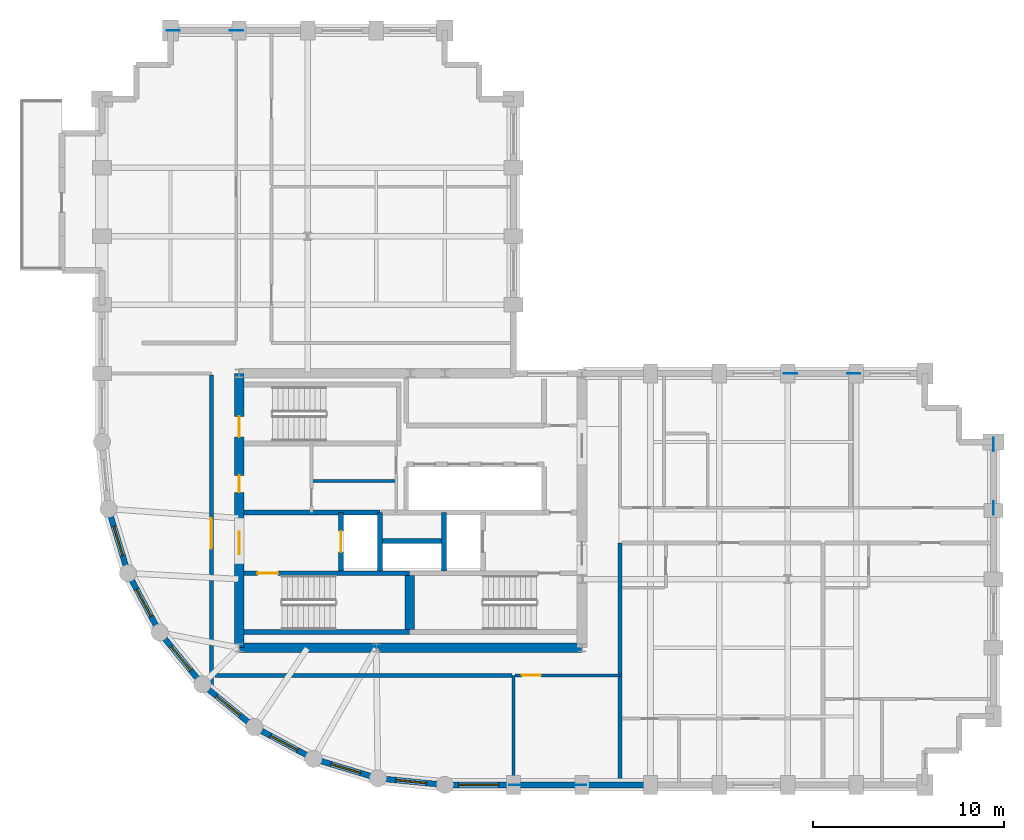
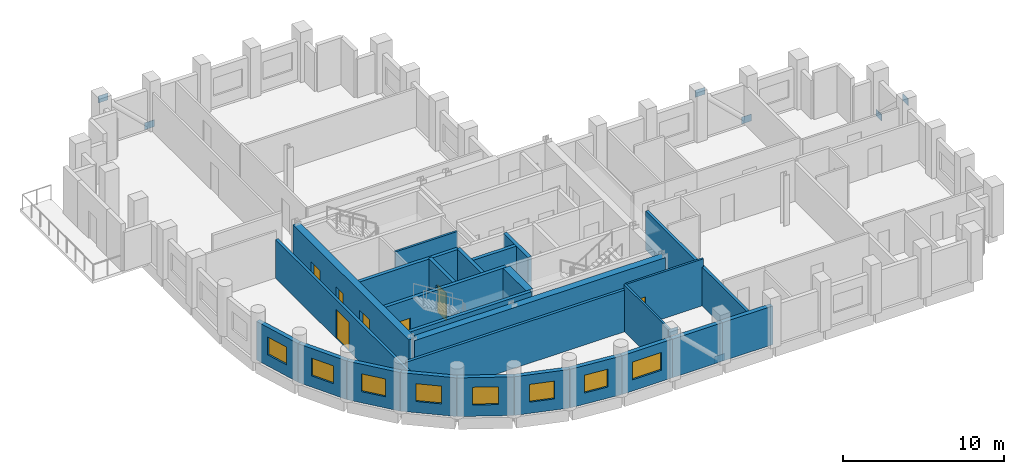
# One storey, part 3 of 9: 26 walls, 8 plates, 8 windows, 7 doors, 15 openings.
"""IFC4 building model written with IfcOpenShell, lengths in metres."""

from ifc_helpers import new_model, si_unit, direction, frame, frame_2d, origin, origin_2d, place, context, subcontext, project, spatial, rectangle, extrude, material, layer, layer_set, type_object, element, fill, save


model = new_model("IFC4")

# Units and contexts
model_context = context("Model", 3, precision=1e-05, world=origin(), true_north=direction((0.0, 1.0)))
body_context = subcontext(model_context, "Body", "Model", "MODEL_VIEW")
ifc_project = project(units=[si_unit("LENGTHUNIT", "METRE"), si_unit("AREAUNIT", "SQUARE_METRE"), si_unit("VOLUMEUNIT", "CUBIC_METRE"), si_unit("PLANEANGLEUNIT", "RADIAN"), si_unit("MASSUNIT", "GRAM", prefix="KILO")], contexts=[model_context])

# Site, building, storey
site_placement = place(None, origin())
site = spatial("IfcSite", under=ifc_project, at=site_placement, CompositionType="ELEMENT")
building_placement = place(site_placement, origin())
building = spatial("IfcBuilding", under=site, at=building_placement, Name="Solnavia Interchange Tower", CompositionType="ELEMENT")
storey_placement = place(building_placement, frame((0.0, 0.0, 154.199951171875)))
storey = spatial("IfcBuildingStorey", under=building, at=storey_placement, Name="L38", CompositionType="ELEMENT", Elevation=154.199951171875)

# Plates
ifc_material_1 = material(Name="Steel S460", Category="steel")
ifc_layer_1 = layer(ifc_material_1, 0.030029296875)
ifc_layer_set_1 = layer_set([ifc_layer_1], Name="Steel S460")
plate_type = type_object("IfcPlateType", Name="Plate-Gusset-700x520x30", PredefinedType="USERDEFINED", material=ifc_layer_set_1)
for number, where, z_axis, x_axis, name in (
    (1, (32.260009765625, 3.60009765625, -0.080078125), (0.0, 0.0, 1.0), (-1.0, 0.0, 0.0), "PLT-L38-GP01 Perimeter brace gusset plate"),
    (2, (28.93994140625, 3.60009765625, 3.110107421875), (0.0, 0.0, 1.0), (-1.0, 0.0, 0.0), "PLT-L38-GP02 Perimeter brace gusset plate"),
    (3, (54.0, 21.4599609375, -0.080078125), (0.0, 0.0, 1.0), (0.0, -1.0, 0.0), "PLT-L38-GP03 Perimeter brace gusset plate"),
    (4, (54.0, 18.139892578125, 3.110107421875), (0.0, 0.0, 1.0), (0.0, -1.0, 0.0), "PLT-L38-GP04 Perimeter brace gusset plate"),
    (5, (14.260009765625, 43.199951171875, -0.080078125), (0.0, 0.0, 1.0), (-1.0, 0.0, 0.0), "PLT-L38-GP05 Perimeter brace gusset plate"),
    (6, (10.93994140625, 43.199951171875, 3.110107421875), (0.0, 0.0, 1.0), (-1.0, 0.0, 0.0), "PLT-L38-GP06 Perimeter brace gusset plate"),
    (7, (46.659912109375, 25.199951171875, -0.080078125), (0.0, 0.0, 1.0), (-1.0, 0.0, 0.0), "PLT-L38-GP07 Perimeter brace gusset plate"),
    (8, (43.340087890625, 25.199951171875, 3.110107421875), (0.0, 0.0, 1.0), (-1.0, 0.0, 0.0), "PLT-L38-GP08 Perimeter brace gusset plate"),
):
    element("IfcPlate", number, at=place(storey_placement, frame(where, z_axis=z_axis, x_axis=x_axis)), inside=storey, type_object=plate_type, Name=name, ObjectType="GUSSET PLATE", PredefinedType="USERDEFINED", context=body_context, shape_type="SweptSolid", body=[
        extrude(rectangle(XDim=0.699951171875, YDim=0.030029296875, at=origin_2d()), origin(), (0.0, 0.0, 1.0), 0.52001953125),
    ])

# Wall, opening, door
ifc_material_2 = material(Name="Gypsum Acoustic Twin-Stud & Mineral Wool", Category="gypsum")
ifc_layer_2 = layer(ifc_material_2, 0.199951171875)
ifc_layer_set_2 = layer_set([ifc_layer_2], Name="Gypsum Acoustic Twin-Stud & Mineral Wool")
wall_type_1 = type_object("IfcWallType", Name="Wall-ApartmentParty-200", PredefinedType="PARTITIONING", material=ifc_layer_set_2)
wall_1_placement = place(storey_placement, frame((12.949951171875, 8.6337890625, 0.0), z_axis=(0.0, 0.0, 1.0), x_axis=(0.0, 1.0, 0.0)))
wall_1 = element("IfcWall", 9, at=wall_1_placement, inside=storey, type_object=wall_type_1, Name="PTW-L38-09 Interior partition wall", PredefinedType="PARTITIONING", context=body_context, shape_type="SweptSolid", body=[
    extrude(rectangle(XDim=16.4873046875, YDim=0.199951171875, at=frame_2d((8.24365234375, 0.0))), origin(), (0.0, 0.0, 1.0), 2.929931640625),
])
opening_1_placement = place(wall_1_placement, frame((7.365966796875, 0.0, 0.0)))
opening_1 = element("IfcOpeningElement", 10, at=opening_1_placement, cuts=wall_1, Name="Opening DR-08", PredefinedType="OPENING", context=body_context, shape_type="SweptSolid", body=[
    extrude(rectangle(XDim=1.60009765625, YDim=2.199951171875, at=frame_2d((0.800048828125, 1.10009765625))), frame((0.0, 0.10986328125, 0.0), z_axis=(0.0, -1.0, 0.0), x_axis=(1.0, 0.0, 0.0)), (0.0, 0.0, 1.0), 0.219970703125),
])
ifc_material_3 = material(Name="Thermally Broken Aluminium & Toughened Glass", Category="aluminium")
door_type_1 = type_object("IfcDoorType", Name="Door-RetailDouble-1600x2200", OperationType="DOUBLE_DOOR_SINGLE_SWING", PredefinedType="DOOR", material=ifc_material_3)
door_1_placement = place(opening_1_placement, origin())
door_1 = element("IfcDoor", 11, at=door_1_placement, inside=storey, type_object=door_type_1, Name="DR-L38-03 Interior room door", OperationType="DOUBLE_DOOR_SINGLE_SWING", OverallHeight=2.199951171875, OverallWidth=1.60009765625, PredefinedType="DOOR", context=body_context, shape_type="SweptSolid", body=[
    extrude(rectangle(XDim=1.60009765625, YDim=2.199951171875, at=frame_2d((0.800048828125, 1.10009765625))), frame((0.0, 0.02490234375, 0.0), z_axis=(0.0, -1.0, 0.0), x_axis=(1.0, 0.0, 0.0)), (0.0, 0.0, 1.0), 0.050048828125),
])
fill(opening_1, door_1)

# Walls
wall_2_placement = place(storey_placement, frame((13.1298828125, 9.35009765625, 0.0), z_axis=(0.0, 0.0, 1.0), x_axis=(1.0, 0.0, 0.0)))
element("IfcWall", 12, at=wall_2_placement, inside=storey, type_object=wall_type_1, Name="PTW-L38-10 Interior partition wall", PredefinedType="PARTITIONING", context=body_context, shape_type="SweptSolid", body=[
    extrude(rectangle(XDim=15.591064453125, YDim=0.199951171875, at=frame_2d((7.79541015625, 0.0))), origin(), (0.0, 0.0, 1.0), 3.170166015625),
])
wall_3_placement = place(storey_placement, frame((34.39990234375, 3.75390625, 0.0), z_axis=(0.0, 0.0, 1.0), x_axis=(0.0, 1.0, 0.0)))
element("IfcWall", 13, at=wall_3_placement, inside=storey, type_object=wall_type_1, Name="PTW-L38-12 Interior partition wall", PredefinedType="PARTITIONING", context=body_context, shape_type="SweptSolid", body=[
    extrude(rectangle(XDim=12.546142578125, YDim=0.199951171875, at=frame_2d((6.27294921875, 0.0))), origin(), (0.0, 0.0, 1.0), 2.929931640625),
])

# Wall, opening, window
ifc_material_4 = material(Name="Concrete C40/50", Category="concrete")
ifc_layer_3 = layer(ifc_material_4, 0.300048828125)
ifc_layer_set_3 = layer_set([ifc_layer_3], Name="Concrete C40/50")
wall_type_2 = type_object("IfcWallType", Name="Wall-ExtSpandrel-300", PredefinedType="STANDARD", material=ifc_layer_set_3)
wall_4_placement = place(storey_placement, frame((28.800048828125, 3.60009765625, 0.0), z_axis=(0.0, 0.0, 1.0), x_axis=(-1.0, 0.0, 0.0)))
wall_4 = element("IfcWall", 14, at=wall_4_placement, inside=storey, type_object=wall_type_2, Name="EXW-L38-01 Exterior precast spandrel wall", PredefinedType="STANDARD", context=body_context, shape_type="SweptSolid", body=[
    extrude(rectangle(XDim=3.60009765625, YDim=0.300048828125, at=frame_2d((1.800048828125, 0.0))), origin(), (0.0, 0.0, 1.0), 2.929931640625),
])
opening_2_placement = place(wall_4_placement, frame((0.77490234375, 0.0, 0.85009765625)))
opening_2 = element("IfcOpeningElement", 15, at=opening_2_placement, cuts=wall_4, Name="Opening WIN-01", PredefinedType="OPENING", context=body_context, shape_type="SweptSolid", body=[
    extrude(rectangle(XDim=2.10009765625, YDim=1.35009765625, at=frame_2d((1.050048828125, 0.675048828125))), frame((0.0, 0.16015625, 0.0), z_axis=(0.0, -1.0, 0.0), x_axis=(1.0, 0.0, 0.0)), (0.0, 0.0, 1.0), 0.320068359375),
])
ifc_material_5 = material(Name="Thermal-Break Aluminium & Low-E Glass", Category="aluminium")
window_type_1 = type_object("IfcWindowType", Name="Window-Ribbon-2100x1350", PartitioningType="SINGLE_PANEL", PredefinedType="WINDOW", material=ifc_material_5)
window_1_placement = place(opening_2_placement, origin())
window_1 = element("IfcWindow", 16, at=window_1_placement, inside=storey, type_object=window_type_1, Name="WIN-L38-01 Facade ribbon window", OverallHeight=1.35009765625, OverallWidth=2.10009765625, PartitioningType="SINGLE_PANEL", PredefinedType="WINDOW", context=body_context, shape_type="SweptSolid", body=[
    extrude(rectangle(XDim=2.10009765625, YDim=1.35009765625, at=frame_2d((1.050048828125, 0.675048828125))), frame((0.0, 0.030029296875, 0.0), z_axis=(0.0, -1.0, 0.0), x_axis=(1.0, 0.0, 0.0)), (0.0, 0.0, 1.0), 0.06005859375),
])
fill(opening_2, window_1)

# Walls
wall_5_placement = place(storey_placement, frame((32.39990234375, 3.60009765625, 0.0), z_axis=(0.0, 0.0, 1.0), x_axis=(-1.0, 0.0, 0.0)))
element("IfcWall", 17, at=wall_5_placement, inside=storey, type_object=wall_type_2, Name="EXW-L38-02 Exterior precast spandrel wall", PredefinedType="STANDARD", context=body_context, shape_type="SweptSolid", body=[
    extrude(rectangle(XDim=3.599853515625, YDim=0.300048828125, at=frame_2d((1.7998046875, 0.0))), origin(), (0.0, 0.0, 1.0), 2.929931640625),
])
wall_6_placement = place(storey_placement, frame((36.0, 3.60009765625, 0.0), z_axis=(0.0, 0.0, 1.0), x_axis=(-1.0, 0.0, 0.0)))
element("IfcWall", 18, at=wall_6_placement, inside=storey, type_object=wall_type_2, Name="EXW-L38-03 Exterior precast spandrel wall", PredefinedType="STANDARD", context=body_context, shape_type="SweptSolid", body=[
    extrude(rectangle(XDim=3.60009765625, YDim=0.300048828125, at=frame_2d((1.800048828125, 0.0))), origin(), (0.0, 0.0, 1.0), 2.929931640625),
])

# Wall, opening, window
wall_7_placement = place(storey_placement, frame((8.570068359375, 14.7119140625, 0.0), z_axis=(0.0, 0.0, 1.0), x_axis=(-0.290305086481, 0.956934144423, 0.0)))
wall_7 = element("IfcWall", 19, at=wall_7_placement, inside=storey, type_object=wall_type_2, Name="EXW-L38-52 Exterior precast spandrel wall", PredefinedType="STANDARD", context=body_context, shape_type="SweptSolid", body=[
    extrude(rectangle(XDim=3.52783203125, YDim=0.300048828125, at=frame_2d((1.763916015625, 0.0))), origin(), (0.0, 0.0, 1.0), 2.929931640625),
])
opening_3_placement = place(wall_7_placement, frame((0.964111328125, 0.0, 0.85009765625)))
opening_3 = element("IfcOpeningElement", 20, at=opening_3_placement, cuts=wall_7, Name="Opening WIN-04", PredefinedType="OPENING", context=body_context, shape_type="SweptSolid", body=[
    extrude(rectangle(XDim=1.60009765625, YDim=1.35009765625, at=frame_2d((0.800048828125, 0.675048828125))), frame((0.0, 0.16015625, 0.0), z_axis=(0.0, -1.0, 0.0), x_axis=(1.0, 0.0, 0.0)), (0.0, 0.0, 1.0), 0.320068359375),
])
window_type_2 = type_object("IfcWindowType", Name="Window-Drum-1600x1350", PartitioningType="SINGLE_PANEL", PredefinedType="WINDOW", material=ifc_material_5)
window_2_placement = place(opening_3_placement, origin())
window_2 = element("IfcWindow", 21, at=window_2_placement, inside=storey, type_object=window_type_2, Name="WIN-L38-52 Facade ribbon window", OverallHeight=1.35009765625, OverallWidth=1.60009765625, PartitioningType="SINGLE_PANEL", PredefinedType="WINDOW", context=body_context, shape_type="SweptSolid", body=[
    extrude(rectangle(XDim=1.60009765625, YDim=1.35009765625, at=frame_2d((0.800048828125, 0.675048828125))), frame((0.0, 0.030029296875, 0.0), z_axis=(0.0, -1.0, 0.0), x_axis=(1.0, 0.0, 0.0)), (0.0, 0.0, 1.0), 0.06005859375),
])
fill(opening_3, window_2)

wall_8_placement = place(storey_placement, frame((10.23388671875, 11.60009765625, 0.0), z_axis=(0.0, 0.0, 1.0), x_axis=(-0.47151087309, 0.881860247748, 0.0)))
wall_8 = element("IfcWall", 22, at=wall_8_placement, inside=storey, type_object=wall_type_2, Name="EXW-L38-53 Exterior precast spandrel wall", PredefinedType="STANDARD", context=body_context, shape_type="SweptSolid", body=[
    extrude(rectangle(XDim=3.52880859375, YDim=0.300048828125, at=frame_2d((1.764404296875, 0.0))), origin(), (0.0, 0.0, 1.0), 2.929931640625),
])
opening_4_placement = place(wall_8_placement, frame((0.964111328125, 0.0, 0.85009765625)))
opening_4 = element("IfcOpeningElement", 23, at=opening_4_placement, cuts=wall_8, Name="Opening WIN-04", PredefinedType="OPENING", context=body_context, shape_type="SweptSolid", body=[
    extrude(rectangle(XDim=1.60009765625, YDim=1.35009765625, at=frame_2d((0.800048828125, 0.675048828125))), frame((0.0, 0.16015625, 0.0), z_axis=(0.0, -1.0, 0.0), x_axis=(1.0, 0.0, 0.0)), (0.0, 0.0, 1.0), 0.320068359375),
])
window_3_placement = place(opening_4_placement, origin())
window_3 = element("IfcWindow", 24, at=window_3_placement, inside=storey, type_object=window_type_2, Name="WIN-L38-53 Facade ribbon window", OverallHeight=1.35009765625, OverallWidth=1.60009765625, PartitioningType="SINGLE_PANEL", PredefinedType="WINDOW", context=body_context, shape_type="SweptSolid", body=[
    extrude(rectangle(XDim=1.60009765625, YDim=1.35009765625, at=frame_2d((0.800048828125, 0.675048828125))), frame((0.0, 0.030029296875, 0.0), z_axis=(0.0, -1.0, 0.0), x_axis=(1.0, 0.0, 0.0)), (0.0, 0.0, 1.0), 0.06005859375),
])
fill(opening_4, window_3)

wall_9_placement = place(storey_placement, frame((12.471923828125, 8.8720703125, 0.0), z_axis=(0.0, 0.0, 1.0), x_axis=(-0.634258295121, 0.773121216285, 0.0)))
wall_9 = element("IfcWall", 25, at=wall_9_placement, inside=storey, type_object=wall_type_2, Name="EXW-L38-54 Exterior precast spandrel wall", PredefinedType="STANDARD", context=body_context, shape_type="SweptSolid", body=[
    extrude(rectangle(XDim=3.528564453125, YDim=0.300048828125, at=frame_2d((1.76416015625, 0.0))), origin(), (0.0, 0.0, 1.0), 2.929931640625),
])
opening_5_placement = place(wall_9_placement, frame((0.964111328125, 0.0, 0.85009765625)))
opening_5 = element("IfcOpeningElement", 26, at=opening_5_placement, cuts=wall_9, Name="Opening WIN-04", PredefinedType="OPENING", context=body_context, shape_type="SweptSolid", body=[
    extrude(rectangle(XDim=1.60009765625, YDim=1.35009765625, at=frame_2d((0.800048828125, 0.675048828125))), frame((0.0, 0.16015625, 0.0), z_axis=(0.0, -1.0, 0.0), x_axis=(1.0, 0.0, 0.0)), (0.0, 0.0, 1.0), 0.320068359375),
])
window_4_placement = place(opening_5_placement, origin())
window_4 = element("IfcWindow", 27, at=window_4_placement, inside=storey, type_object=window_type_2, Name="WIN-L38-54 Facade ribbon window", OverallHeight=1.35009765625, OverallWidth=1.60009765625, PartitioningType="SINGLE_PANEL", PredefinedType="WINDOW", context=body_context, shape_type="SweptSolid", body=[
    extrude(rectangle(XDim=1.60009765625, YDim=1.35009765625, at=frame_2d((0.800048828125, 0.675048828125))), frame((0.0, 0.030029296875, 0.0), z_axis=(0.0, -1.0, 0.0), x_axis=(1.0, 0.0, 0.0)), (0.0, 0.0, 1.0), 0.06005859375),
])
fill(opening_5, window_4)

wall_10_placement = place(storey_placement, frame((15.199951171875, 6.634033203125, 0.0), z_axis=(0.0, 0.0, 1.0), x_axis=(-0.773121216285, 0.634258295121, 0.0)))
wall_10 = element("IfcWall", 28, at=wall_10_placement, inside=storey, type_object=wall_type_2, Name="EXW-L38-55 Exterior precast spandrel wall", PredefinedType="STANDARD", context=body_context, shape_type="SweptSolid", body=[
    extrude(rectangle(XDim=3.528564453125, YDim=0.300048828125, at=frame_2d((1.76416015625, 0.0))), origin(), (0.0, 0.0, 1.0), 2.929931640625),
])
opening_6_placement = place(wall_10_placement, frame((0.964111328125, 0.0, 0.85009765625)))
opening_6 = element("IfcOpeningElement", 29, at=opening_6_placement, cuts=wall_10, Name="Opening WIN-04", PredefinedType="OPENING", context=body_context, shape_type="SweptSolid", body=[
    extrude(rectangle(XDim=1.60009765625, YDim=1.35009765625, at=frame_2d((0.800048828125, 0.675048828125))), frame((0.0, 0.16015625, 0.0), z_axis=(0.0, -1.0, 0.0), x_axis=(1.0, 0.0, 0.0)), (0.0, 0.0, 1.0), 0.320068359375),
])
window_5_placement = place(opening_6_placement, origin())
window_5 = element("IfcWindow", 30, at=window_5_placement, inside=storey, type_object=window_type_2, Name="WIN-L38-55 Facade ribbon window", OverallHeight=1.35009765625, OverallWidth=1.60009765625, PartitioningType="SINGLE_PANEL", PredefinedType="WINDOW", context=body_context, shape_type="SweptSolid", body=[
    extrude(rectangle(XDim=1.60009765625, YDim=1.35009765625, at=frame_2d((0.800048828125, 0.675048828125))), frame((0.0, 0.030029296875, 0.0), z_axis=(0.0, -1.0, 0.0), x_axis=(1.0, 0.0, 0.0)), (0.0, 0.0, 1.0), 0.06005859375),
])
fill(opening_6, window_5)

wall_11_placement = place(storey_placement, frame((18.31201171875, 4.969970703125, 0.0), z_axis=(0.0, 0.0, 1.0), x_axis=(-0.881846862014, 0.471535907389, 0.0)))
wall_11 = element("IfcWall", 31, at=wall_11_placement, inside=storey, type_object=wall_type_2, Name="EXW-L38-56 Exterior precast spandrel wall", PredefinedType="STANDARD", context=body_context, shape_type="SweptSolid", body=[
    extrude(rectangle(XDim=3.529052734375, YDim=0.300048828125, at=frame_2d((1.7646484375, 0.0))), origin(), (0.0, 0.0, 1.0), 2.929931640625),
])
opening_7_placement = place(wall_11_placement, frame((0.964111328125, 0.0, 0.85009765625)))
opening_7 = element("IfcOpeningElement", 32, at=opening_7_placement, cuts=wall_11, Name="Opening WIN-04", PredefinedType="OPENING", context=body_context, shape_type="SweptSolid", body=[
    extrude(rectangle(XDim=1.60009765625, YDim=1.35009765625, at=frame_2d((0.800048828125, 0.675048828125))), frame((0.0, 0.16015625, 0.0), z_axis=(0.0, -1.0, 0.0), x_axis=(1.0, 0.0, 0.0)), (0.0, 0.0, 1.0), 0.320068359375),
])
window_6_placement = place(opening_7_placement, origin())
window_6 = element("IfcWindow", 33, at=window_6_placement, inside=storey, type_object=window_type_2, Name="WIN-L38-56 Facade ribbon window", OverallHeight=1.35009765625, OverallWidth=1.60009765625, PartitioningType="SINGLE_PANEL", PredefinedType="WINDOW", context=body_context, shape_type="SweptSolid", body=[
    extrude(rectangle(XDim=1.60009765625, YDim=1.35009765625, at=frame_2d((0.800048828125, 0.675048828125))), frame((0.0, 0.030029296875, 0.0), z_axis=(0.0, -1.0, 0.0), x_axis=(1.0, 0.0, 0.0)), (0.0, 0.0, 1.0), 0.06005859375),
])
fill(opening_7, window_6)

wall_12_placement = place(storey_placement, frame((21.68798828125, 3.946044921875, 0.0), z_axis=(0.0, 0.0, 1.0), x_axis=(-0.956953367403, 0.290241714123, 0.0)))
wall_12 = element("IfcWall", 34, at=wall_12_placement, inside=storey, type_object=wall_type_2, Name="EXW-L38-57 Exterior precast spandrel wall", PredefinedType="STANDARD", context=body_context, shape_type="SweptSolid", body=[
    extrude(rectangle(XDim=3.52783203125, YDim=0.300048828125, at=frame_2d((1.763916015625, 0.0))), origin(), (0.0, 0.0, 1.0), 2.929931640625),
])
opening_8_placement = place(wall_12_placement, frame((0.964111328125, 0.0, 0.85009765625)))
opening_8 = element("IfcOpeningElement", 35, at=opening_8_placement, cuts=wall_12, Name="Opening WIN-04", PredefinedType="OPENING", context=body_context, shape_type="SweptSolid", body=[
    extrude(rectangle(XDim=1.60009765625, YDim=1.35009765625, at=frame_2d((0.800048828125, 0.675048828125))), frame((0.0, 0.16015625, 0.0), z_axis=(0.0, -1.0, 0.0), x_axis=(1.0, 0.0, 0.0)), (0.0, 0.0, 1.0), 0.320068359375),
])
window_7_placement = place(opening_8_placement, origin())
window_7 = element("IfcWindow", 36, at=window_7_placement, inside=storey, type_object=window_type_2, Name="WIN-L38-57 Facade ribbon window", OverallHeight=1.35009765625, OverallWidth=1.60009765625, PartitioningType="SINGLE_PANEL", PredefinedType="WINDOW", context=body_context, shape_type="SweptSolid", body=[
    extrude(rectangle(XDim=1.60009765625, YDim=1.35009765625, at=frame_2d((0.800048828125, 0.675048828125))), frame((0.0, 0.030029296875, 0.0), z_axis=(0.0, -1.0, 0.0), x_axis=(1.0, 0.0, 0.0)), (0.0, 0.0, 1.0), 0.06005859375),
])
fill(opening_8, window_7)

wall_13_placement = place(storey_placement, frame((25.199951171875, 3.60009765625, 0.0), z_axis=(0.0, 0.0, 1.0), x_axis=(-0.995183369056, 0.098030923459, 0.0)))
wall_13 = element("IfcWall", 37, at=wall_13_placement, inside=storey, type_object=wall_type_2, Name="EXW-L38-58 Exterior precast spandrel wall", PredefinedType="STANDARD", context=body_context, shape_type="SweptSolid", body=[
    extrude(rectangle(XDim=3.529052734375, YDim=0.300048828125, at=frame_2d((1.7646484375, 0.0))), origin(), (0.0, 0.0, 1.0), 2.929931640625),
])
opening_9_placement = place(wall_13_placement, frame((0.965087890625, 0.0, 0.85009765625)))
opening_9 = element("IfcOpeningElement", 38, at=opening_9_placement, cuts=wall_13, Name="Opening WIN-04", PredefinedType="OPENING", context=body_context, shape_type="SweptSolid", body=[
    extrude(rectangle(XDim=1.60009765625, YDim=1.35009765625, at=frame_2d((0.800048828125, 0.675048828125))), frame((0.0, 0.16015625, 0.0), z_axis=(0.0, -1.0, 0.0), x_axis=(1.0, 0.0, 0.0)), (0.0, 0.0, 1.0), 0.320068359375),
])
window_8_placement = place(opening_9_placement, origin())
window_8 = element("IfcWindow", 39, at=window_8_placement, inside=storey, type_object=window_type_2, Name="WIN-L38-58 Facade ribbon window", OverallHeight=1.35009765625, OverallWidth=1.60009765625, PartitioningType="SINGLE_PANEL", PredefinedType="WINDOW", context=body_context, shape_type="SweptSolid", body=[
    extrude(rectangle(XDim=1.60009765625, YDim=1.35009765625, at=frame_2d((0.800048828125, 0.675048828125))), frame((0.0, 0.030029296875, 0.0), z_axis=(0.0, -1.0, 0.0), x_axis=(1.0, 0.0, 0.0)), (0.0, 0.0, 1.0), 0.06005859375),
])
fill(opening_9, window_8)

# Walls
ifc_material_6 = material(Name="Gypsum Plasterboard & Steel Stud", Category="steel")
ifc_layer_4 = layer(ifc_material_6, 0.14990234375)
ifc_layer_set_4 = layer_set([ifc_layer_4], Name="Gypsum Plasterboard & Steel Stud")
wall_type_3 = type_object("IfcWallType", Name="Wall-Partition-150", PredefinedType="PARTITIONING", material=ifc_layer_set_4)
wall_14_placement = place(storey_placement, frame((18.199951171875, 19.550048828125, 0.0), z_axis=(0.0, 0.0, 1.0), x_axis=(1.0, 0.0, 0.0)))
element("IfcWall", 40, at=wall_14_placement, inside=storey, type_object=wall_type_3, Name="CSW-L38-H1 Core shaft wall", PredefinedType="PARTITIONING", context=body_context, shape_type="SweptSolid", body=[
    extrude(rectangle(XDim=4.449951171875, YDim=0.14990234375, at=frame_2d((2.22509765625, 0.0))), origin(), (0.0, 0.0, 1.0), 3.53515625),
])
wall_15_placement = place(storey_placement, frame((28.800048828125, 9.35009765625, 0.0), z_axis=(0.0, 0.0, 1.0), x_axis=(0.0, -1.0, 0.0)))
element("IfcWall", 41, at=wall_15_placement, inside=storey, type_object=wall_type_3, Name="PTW-L38-08 Interior partition wall", PredefinedType="PARTITIONING", context=body_context, shape_type="SweptSolid", body=[
    extrude(rectangle(XDim=5.59619140625, YDim=0.14990234375, at=frame_2d((2.798095703125, 0.0))), origin(), (0.0, 0.0, 1.0), 3.53515625),
])

# Wall, opening, door
wall_16_placement = place(storey_placement, frame((28.87890625, 9.35009765625, 0.0), z_axis=(0.0, 0.0, 1.0), x_axis=(1.0, 0.0, 0.0)))
wall_16 = element("IfcWall", 42, at=wall_16_placement, inside=storey, type_object=wall_type_3, Name="PTW-L38-11 Interior partition wall", PredefinedType="PARTITIONING", context=body_context, shape_type="SweptSolid", body=[
    extrude(rectangle(XDim=5.52099609375, YDim=0.14990234375, at=frame_2d((2.760498046875, 0.0))), origin(), (0.0, 0.0, 1.0), 3.53515625),
])
opening_10_placement = place(wall_16_placement, frame((0.360107421875, 0.0, 0.0)))
opening_10 = element("IfcOpeningElement", 43, at=opening_10_placement, cuts=wall_16, Name="Opening DR-07", PredefinedType="OPENING", context=body_context, shape_type="SweptSolid", body=[
    extrude(rectangle(XDim=1.0, YDim=2.10009765625, at=frame_2d((0.5, 1.050048828125))), frame((0.0, 0.0849609375, 0.0), z_axis=(0.0, -1.0, 0.0), x_axis=(1.0, 0.0, 0.0)), (0.0, 0.0, 1.0), 0.169921875),
])
ifc_material_7 = material(Name="Timber & Acoustic Glazed Office Door", Category="wood")
door_type_2 = type_object("IfcDoorType", Name="Door-Office-1000x2100", OperationType="SINGLE_SWING_RIGHT", PredefinedType="DOOR", material=ifc_material_7)
door_2_placement = place(opening_10_placement, origin())
door_2 = element("IfcDoor", 44, at=door_2_placement, inside=storey, type_object=door_type_2, Name="DR-L38-04 Interior room door", OperationType="SINGLE_SWING_LEFT", OverallHeight=2.10009765625, OverallWidth=1.0, PredefinedType="DOOR", context=body_context, shape_type="SweptSolid", body=[
    extrude(rectangle(XDim=1.0, YDim=2.10009765625, at=frame_2d((0.5, 1.050048828125))), frame((0.0, 0.02490234375, 0.0), z_axis=(0.0, -1.0, 0.0), x_axis=(1.0, 0.0, 0.0)), (0.0, 0.0, 1.0), 0.050048828125),
])
fill(opening_10, door_2)

# Wall
ifc_layer_5 = layer(ifc_material_4, 0.25)
ifc_layer_set_5 = layer_set([ifc_layer_5], Name="Concrete C40/50")
wall_type_4 = type_object("IfcWallType", Name="Wall-ShaftCore-250", PredefinedType="SHEAR", material=ifc_layer_set_5)
wall_17_placement = place(storey_placement, frame((14.64990234375, 11.625, 0.0), z_axis=(0.0, 0.0, 1.0), x_axis=(1.0, 0.0, 0.0)))
element("IfcWall", 45, at=wall_17_placement, inside=storey, type_object=wall_type_4, Name="SHW-L38-ST1S Core shear wall", PredefinedType="SHEAR", context=body_context, shape_type="SweptSolid", body=[
    extrude(rectangle(XDim=8.7001953125, YDim=0.25, at=frame_2d((4.35009765625, 0.0))), origin(), (0.0, 0.0, 1.0), 3.550048828125),
])

# Wall, opening, door
wall_18_placement = place(storey_placement, frame((14.64990234375, 14.715087890625, 0.0), z_axis=(0.0, 0.0, 1.0), x_axis=(1.0, 0.0, 0.0)))
wall_18 = element("IfcWall", 46, at=wall_18_placement, inside=storey, type_object=wall_type_4, Name="SHW-L38-ST1N Core shear wall", PredefinedType="SHEAR", context=body_context, shape_type="SweptSolid", body=[
    extrude(rectangle(XDim=8.7001953125, YDim=0.25, at=frame_2d((4.35009765625, 0.0))), origin(), (0.0, 0.0, 1.0), 3.550048828125),
])
opening_11_placement = place(wall_18_placement, frame((0.705078125, 0.0, 0.0)))
opening_11 = element("IfcOpeningElement", 47, at=opening_11_placement, cuts=wall_18, Name="Opening DR-01", PredefinedType="OPENING", context=body_context, shape_type="SweptSolid", body=[
    extrude(rectangle(XDim=1.10009765625, YDim=2.10009765625, at=frame_2d((0.550048828125, 1.050048828125))), frame((0.0, 0.135009765625, 0.0), z_axis=(0.0, -1.0, 0.0), x_axis=(1.0, 0.0, 0.0)), (0.0, 0.0, 1.0), 0.27001953125),
])
ifc_material_8 = material(Name="Steel Fire-Rated Leaf & Frame", Category="steel")
door_type_3 = type_object("IfcDoorType", Name="Door-StairFire-1100x2100", OperationType="SINGLE_SWING_LEFT", PredefinedType="DOOR", material=ifc_material_8)
door_3_placement = place(opening_11_placement, origin())
door_3 = element("IfcDoor", 48, at=door_3_placement, inside=storey, type_object=door_type_3, Name="DR-L38-ST1 Core fire door", OperationType="SINGLE_SWING_LEFT", OverallHeight=2.10009765625, OverallWidth=1.10009765625, PredefinedType="DOOR", context=body_context, shape_type="SweptSolid", body=[
    extrude(rectangle(XDim=1.10009765625, YDim=2.10009765625, at=frame_2d((0.550048828125, 1.050048828125))), frame((0.0, 0.02490234375, 0.0), z_axis=(0.0, -1.0, 0.0), x_axis=(1.0, 0.0, 0.0)), (0.0, 0.0, 1.0), 0.050048828125),
])
fill(opening_11, door_3)

# Wall
ifc_layer_6 = layer(ifc_material_4, 0.25)
ifc_layer_set_6 = layer_set([ifc_layer_6], Name="Concrete C40/50")
wall_type_5 = type_object("IfcWallType", Name="Wall-ShaftPart-250", PredefinedType="PARTITIONING", material=ifc_layer_set_6)
wall_19_placement = place(storey_placement, frame((14.64990234375, 17.89990234375, 0.0), z_axis=(0.0, 0.0, 1.0), x_axis=(1.0, 0.0, 0.0)))
element("IfcWall", 49, at=wall_19_placement, inside=storey, type_object=wall_type_5, Name="SHW-L38-FFLW-N Core shaft wall", PredefinedType="PARTITIONING", context=body_context, shape_type="SweptSolid", body=[
    extrude(rectangle(XDim=7.150146484375, YDim=0.25, at=frame_2d((3.5751953125, 0.0))), origin(), (0.0, 0.0, 1.0), 3.53515625),
])

# Wall, opening, door
wall_20_placement = place(storey_placement, frame((19.75, 14.840087890625, 0.0), z_axis=(0.0, 0.0, 1.0), x_axis=(0.0, 1.0, 0.0)))
wall_20 = element("IfcWall", 50, at=wall_20_placement, inside=storey, type_object=wall_type_5, Name="SHW-L38-FFL1-W Core shaft wall", PredefinedType="PARTITIONING", context=body_context, shape_type="SweptSolid", body=[
    extrude(rectangle(XDim=3.059814453125, YDim=0.25, at=frame_2d((1.52978515625, 0.0))), origin(), (0.0, 0.0, 1.0), 3.53515625),
])
opening_12_placement = place(wall_20_placement, frame((0.97998046875, 0.0, 0.0)))
opening_12 = element("IfcOpeningElement", 51, at=opening_12_placement, cuts=wall_20, Name="Opening LD-01", PredefinedType="OPENING", context=body_context, shape_type="SweptSolid", body=[
    extrude(rectangle(XDim=1.10009765625, YDim=2.10009765625, at=frame_2d((0.550048828125, 1.050048828125))), frame((0.0, 0.135009765625, 0.0), z_axis=(0.0, -1.0, 0.0), x_axis=(1.0, 0.0, 0.0)), (0.0, 0.0, 1.0), 0.27001953125),
])
ifc_material_9 = material(Name="Brushed Stainless Steel Sliding Door", Category="steel")
door_type_4 = type_object("IfcDoorType", Name="Door-LiftLanding-1100x2100", OperationType="SLIDING_TO_LEFT", PredefinedType="DOOR", material=ifc_material_9)
door_4_placement = place(opening_12_placement, origin())
door_4 = element("IfcDoor", 52, at=door_4_placement, inside=storey, type_object=door_type_4, Name="LD-L38-FFL1 Lift landing sliding door", OperationType="SLIDING_TO_LEFT", OverallHeight=2.10009765625, OverallWidth=1.10009765625, PredefinedType="DOOR", context=body_context, shape_type="SweptSolid", body=[
    extrude(rectangle(XDim=1.10009765625, YDim=2.10009765625, at=frame_2d((0.550048828125, 1.050048828125))), frame((0.0, 0.02490234375, 0.0), z_axis=(0.0, -1.0, 0.0), x_axis=(1.0, 0.0, 0.0)), (0.0, 0.0, 1.0), 0.050048828125),
])
fill(opening_12, door_4)

# Walls
for number, where, z_axis, x_axis, name in (
    (53, (21.800048828125, 14.840087890625, 0.0), (0.0, 0.0, 1.0), (0.0, 1.0, 0.0), "SHW-L38-FFL1-E Core shaft wall"),
    (54, (25.14990234375, 14.840087890625, 0.0), (0.0, 0.0, 1.0), (0.0, 1.0, 0.0), "SHW-L38-FFL2-W Core shaft wall"),
):
    element("IfcWall", number, at=place(storey_placement, frame(where, z_axis=z_axis, x_axis=x_axis)), inside=storey, type_object=wall_type_5, Name=name, PredefinedType="PARTITIONING", context=body_context, shape_type="SweptSolid", body=[
        extrude(rectangle(XDim=3.059814453125, YDim=0.25, at=frame_2d((1.52978515625, 0.0))), origin(), (0.0, 0.0, 1.0), 3.53515625),
    ])
wall_21_placement = place(storey_placement, frame((21.800048828125, 16.39990234375, 0.0), z_axis=(0.0, 0.0, 1.0), x_axis=(1.0, 0.0, 0.0)))
element("IfcWall", 55, at=wall_21_placement, inside=storey, type_object=wall_type_5, Name="SHW-L38-MEP-N Core shaft wall", PredefinedType="PARTITIONING", context=body_context, shape_type="SweptSolid", body=[
    extrude(rectangle(XDim=3.349853515625, YDim=0.25, at=frame_2d((1.6748046875, 0.0))), origin(), (0.0, 0.0, 1.0), 3.53515625),
])
ifc_material_10 = material(Name="Concrete C60/75", Category="concrete")
ifc_layer_7 = layer(ifc_material_10, 0.5)
ifc_layer_set_7 = layer_set([ifc_layer_7], Name="Concrete C60/75")
wall_type_6 = type_object("IfcWallType", Name="Wall-ShearCore-500", PredefinedType="SHEAR", material=ifc_layer_set_7)
wall_22_placement = place(storey_placement, frame((14.39990234375, 10.800048828125, 0.0), z_axis=(0.0, 0.0, 1.0), x_axis=(1.0, 0.0, 0.0)))
element("IfcWall", 56, at=wall_22_placement, inside=storey, type_object=wall_type_6, Name="CRW-L38-S Core shear wall", PredefinedType="SHEAR", context=body_context, shape_type="SweptSolid", body=[
    extrude(rectangle(XDim=18.0, YDim=0.5, at=frame_2d((9.0, 0.0))), origin(), (0.0, 0.0, 1.0), 3.550048828125),
])

# Wall, openings, doors
wall_23_placement = place(storey_placement, frame((14.39990234375, 10.800048828125, 0.0), z_axis=(0.0, 0.0, 1.0), x_axis=(0.0, 1.0, 0.0)))
wall_23 = element("IfcWall", 57, at=wall_23_placement, inside=storey, type_object=wall_type_6, Name="CRW-L38-W Core shear wall", PredefinedType="SHEAR", context=body_context, shape_type="SweptSolid", body=[
    extrude(rectangle(XDim=14.39990234375, YDim=0.5, at=frame_2d((7.199951171875, 0.0))), origin(), (0.0, 0.0, 1.0), 3.550048828125),
])
opening_13_placement = place(wall_23_placement, frame((11.050048828125, 0.0, 0.0)))
opening_13 = element("IfcOpeningElement", 58, at=opening_13_placement, cuts=wall_23, Name="Opening DR-01", PredefinedType="OPENING", context=body_context, shape_type="SweptSolid", body=[
    extrude(rectangle(XDim=1.10009765625, YDim=2.10009765625, at=frame_2d((0.550048828125, 1.050048828125))), frame((0.0, 0.260009765625, 0.0), z_axis=(0.0, -1.0, 0.0), x_axis=(1.0, 0.0, 0.0)), (0.0, 0.0, 1.0), 0.52001953125),
])
opening_14_placement = place(wall_23_placement, frame((4.89990234375, 0.0, 0.0)))
opening_14 = element("IfcOpeningElement", 59, at=opening_14_placement, cuts=wall_23, Name="Opening DR-02", PredefinedType="OPENING", context=body_context, shape_type="SweptSolid", body=[
    extrude(rectangle(XDim=1.199951171875, YDim=2.10009765625, at=frame_2d((0.60009765625, 1.050048828125))), frame((0.0, 0.260009765625, 0.0), z_axis=(0.0, -1.0, 0.0), x_axis=(1.0, 0.0, 0.0)), (0.0, 0.0, 1.0), 0.52001953125),
])
opening_15_placement = place(wall_23_placement, frame((8.14990234375, 0.0, 0.0)))
opening_15 = element("IfcOpeningElement", 60, at=opening_15_placement, cuts=wall_23, Name="Opening DR-09", PredefinedType="OPENING", context=body_context, shape_type="SweptSolid", body=[
    extrude(rectangle(XDim=0.89990234375, YDim=2.10009765625, at=frame_2d((0.449951171875, 1.050048828125))), frame((0.0, 0.260009765625, 0.0), z_axis=(0.0, -1.0, 0.0), x_axis=(1.0, 0.0, 0.0)), (0.0, 0.0, 1.0), 0.52001953125),
])
ifc_material_11 = material(Name="Engineered Oak Veneer Door", Category="wood")
door_type_5 = type_object("IfcDoorType", Name="Door-Internal-900x2100", OperationType="SINGLE_SWING_LEFT", PredefinedType="DOOR", material=ifc_material_11)
door_5_placement = place(opening_15_placement, origin())
door_5 = element("IfcDoor", 61, at=door_5_placement, inside=storey, type_object=door_type_5, Name="DR-L38-CS1 Core fire door", OperationType="SINGLE_SWING_RIGHT", OverallHeight=2.10009765625, OverallWidth=0.89990234375, PredefinedType="DOOR", context=body_context, shape_type="SweptSolid", body=[
    extrude(rectangle(XDim=0.89990234375, YDim=2.10009765625, at=frame_2d((0.449951171875, 1.050048828125))), frame((0.0, 0.02490234375, 0.0), z_axis=(0.0, -1.0, 0.0), x_axis=(1.0, 0.0, 0.0)), (0.0, 0.0, 1.0), 0.050048828125),
])
fill(opening_15, door_5)
ifc_material_12 = material(Name="Steel Fire-Rated Vision-Panel Door", Category="steel")
door_type_6 = type_object("IfcDoorType", Name="Door-LobbyFire-1200x2100", OperationType="SINGLE_SWING_RIGHT", PredefinedType="DOOR", material=ifc_material_12)
door_6_placement = place(opening_14_placement, origin())
door_6 = element("IfcDoor", 62, at=door_6_placement, inside=storey, type_object=door_type_6, Name="DR-L38-FFL1W Core fire door", OperationType="SINGLE_SWING_RIGHT", OverallHeight=2.10009765625, OverallWidth=1.199951171875, PredefinedType="DOOR", context=body_context, shape_type="SweptSolid", body=[
    extrude(rectangle(XDim=1.199951171875, YDim=2.10009765625, at=frame_2d((0.60009765625, 1.050048828125))), frame((0.0, 0.02490234375, 0.0), z_axis=(0.0, -1.0, 0.0), x_axis=(1.0, 0.0, 0.0)), (0.0, 0.0, 1.0), 0.050048828125),
])
fill(opening_14, door_6)
door_7_placement = place(opening_13_placement, origin())
door_7 = element("IfcDoor", 63, at=door_7_placement, inside=storey, type_object=door_type_3, Name="DR-L38-ST3 Core fire door", OperationType="SINGLE_SWING_RIGHT", OverallHeight=2.10009765625, OverallWidth=1.10009765625, PredefinedType="DOOR", context=body_context, shape_type="SweptSolid", body=[
    extrude(rectangle(XDim=1.10009765625, YDim=2.10009765625, at=frame_2d((0.550048828125, 1.050048828125))), frame((0.0, 0.02490234375, 0.0), z_axis=(0.0, -1.0, 0.0), x_axis=(1.0, 0.0, 0.0)), (0.0, 0.0, 1.0), 0.050048828125),
])
fill(opening_13, door_7)

# Wall
wall_24_placement = place(storey_placement, frame((23.35009765625, 11.75, 0.0), z_axis=(0.0, 0.0, 1.0), x_axis=(0.0, 1.0, 0.0)))
element("IfcWall", 64, at=wall_24_placement, inside=storey, type_object=wall_type_6, Name="SHW-L38-ST12M Core shear wall", PredefinedType="SHEAR", context=body_context, shape_type="SweptSolid", body=[
    extrude(rectangle(XDim=2.840087890625, YDim=0.5, at=frame_2d((1.419921875, 0.0))), origin(), (0.0, 0.0, 1.0), 3.550048828125),
])

save(model, "model.ifc")
